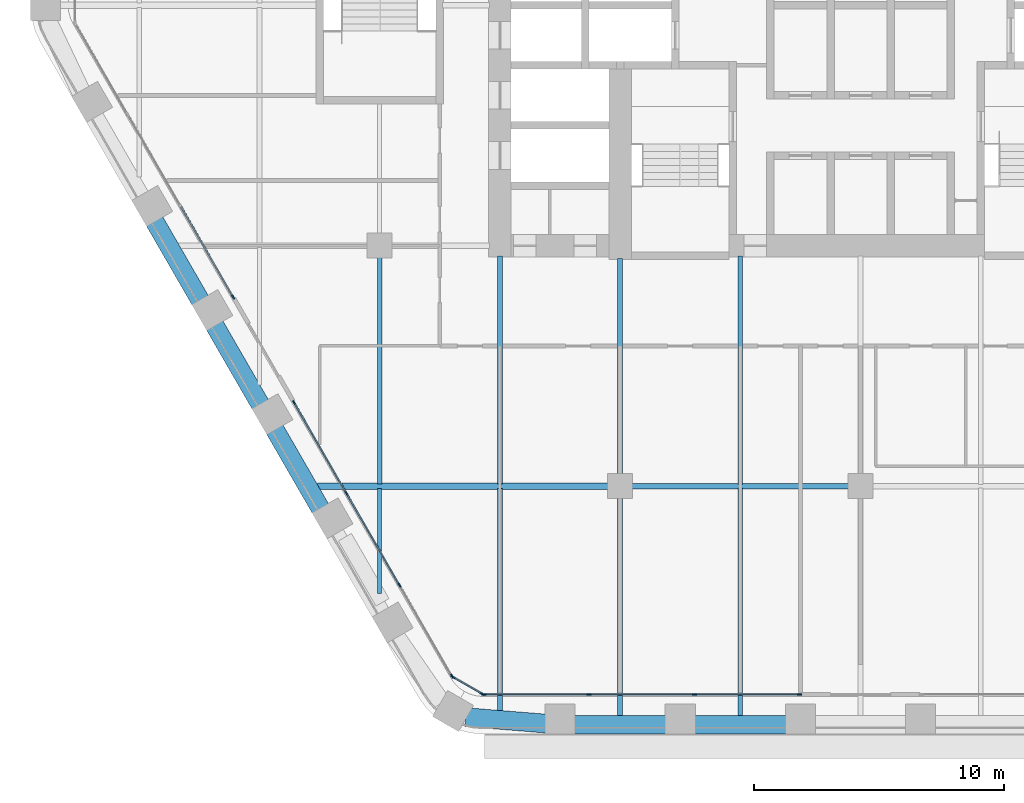
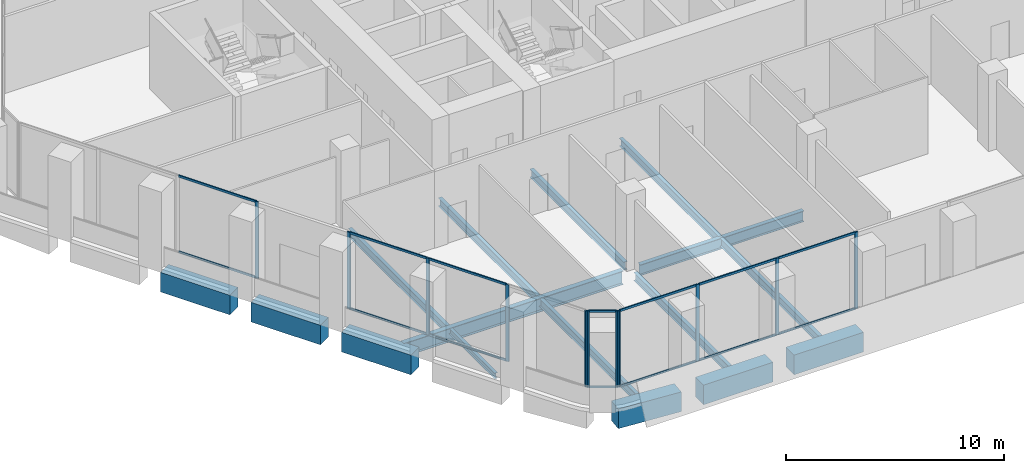
# One storey, part 2 of 23: 25 members, 16 beams, 4 elements without a shape of their own.
"""IFC4 building model written with IfcOpenShell, lengths in metres."""

from ifc_helpers import new_model, si_unit, direction, frame, origin, origin_2d, place, context, subcontext, project, spatial, rectangle, i_section, extrude, material, material_profile, profile_set, type_object, element, aggregate, save


model = new_model("IFC4")

# Units and contexts
model_context = context("Model", 3, precision=1e-05, world=origin(), true_north=direction((0.0, 1.0)))
body_context = subcontext(model_context, "Body", "Model", "MODEL_VIEW")
ifc_project = project(units=[si_unit("LENGTHUNIT", "METRE"), si_unit("AREAUNIT", "SQUARE_METRE"), si_unit("VOLUMEUNIT", "CUBIC_METRE"), si_unit("PLANEANGLEUNIT", "RADIAN"), si_unit("MASSUNIT", "GRAM", prefix="KILO")], contexts=[model_context])

# Site, building, storey
site_placement = place(None, origin())
site = spatial("IfcSite", under=ifc_project, at=site_placement, CompositionType="ELEMENT")
building_placement = place(site_placement, origin())
building = spatial("IfcBuilding", under=site, at=building_placement, Name="Kolab Exchange Tower", CompositionType="ELEMENT")
storey_placement = place(building_placement, frame((0.0, 0.0, 95.89990234375)))
storey = spatial("IfcBuildingStorey", under=building, at=storey_placement, Name="L18", CompositionType="ELEMENT", Elevation=95.89990234375)

# Beams
ifc_material_1 = material(Name="Steel S355", Category="steel")
ifc_material_profile_1 = material_profile(ifc_material_1, i_section(OverallWidth=0.1650390625, OverallDepth=0.31005859375, WebThickness=0.005859375, FlangeThickness=0.009765625, at=origin_2d()), Name="W310X39")
ifc_profile_set_1 = profile_set([ifc_material_profile_1], Name="Steel S355")
beam_type_1 = type_object("IfcBeamType", Name="FLOOR BEAM W310X39", PredefinedType="BEAM", material=ifc_profile_set_1)
beam_1_placement = place(storey_placement, frame((-19.199951171875, -23.4814453125, -0.35498046875), z_axis=(0.0, 1.0, 0.0), x_axis=(-1.0, 0.0, 0.0)))
element("IfcBeam", 1, at=beam_1_placement, inside=storey, type_object=beam_type_1, Name="beam/L18/fr/006", PredefinedType="BEAM", context=body_context, shape_type="SweptSolid", body=[
    extrude(i_section(OverallWidth=0.1650390625, OverallDepth=0.31005859375, WebThickness=0.005859375, FlangeThickness=0.009765625, at=origin_2d()), origin(), (0.0, 0.0, 1.0), 4.18798828125),
])
ifc_material_profile_2 = material_profile(ifc_material_1, i_section(OverallWidth=0.18994140625, OverallDepth=0.45703125, WebThickness=0.009033203125, FlangeThickness=0.014404296875, at=origin_2d()), Name="W460X74")
ifc_profile_set_2 = profile_set([ifc_material_profile_2], Name="Steel S355")
beam_type_2 = type_object("IfcBeamType", Name="FLOOR BEAM W460X74", PredefinedType="BEAM", material=ifc_profile_set_2)
beam_2_placement = place(storey_placement, frame((-19.199951171875, -19.1064453125, -0.428466796875), z_axis=(0.0, 1.0, 0.0), x_axis=(-1.0, 0.0, 0.0)))
element("IfcBeam", 2, at=beam_2_placement, inside=storey, type_object=beam_type_2, Name="beam/L18/fr/007", PredefinedType="BEAM", context=body_context, shape_type="SweptSolid", body=[
    extrude(i_section(OverallWidth=0.18994140625, OverallDepth=0.45703125, WebThickness=0.009033203125, FlangeThickness=0.014404296875, at=origin_2d()), origin(), (0.0, 0.0, 1.0), 9.04638671875),
])
beam_3_placement = place(storey_placement, frame((-14.39990234375, -28.194580078125, -0.428466796875), z_axis=(0.0, 1.0, 0.0), x_axis=(-1.0, 0.0, 0.0)))
element("IfcBeam", 3, at=beam_3_placement, inside=storey, type_object=beam_type_2, Name="beam/L18/fr/012", PredefinedType="BEAM", context=body_context, shape_type="SweptSolid", body=[
    extrude(i_section(OverallWidth=0.18994140625, OverallDepth=0.45703125, WebThickness=0.009033203125, FlangeThickness=0.014404296875, at=origin_2d()), origin(), (0.0, 0.0, 1.0), 8.901123046875),
])
beam_4_placement = place(storey_placement, frame((-14.39990234375, -19.1064453125, -0.428466796875), z_axis=(0.0, 1.0, 0.0), x_axis=(-1.0, 0.0, 0.0)))
element("IfcBeam", 4, at=beam_4_placement, inside=storey, type_object=beam_type_2, Name="beam/L18/fr/013", PredefinedType="BEAM", context=body_context, shape_type="SweptSolid", body=[
    extrude(i_section(OverallWidth=0.18994140625, OverallDepth=0.45703125, WebThickness=0.009033203125, FlangeThickness=0.014404296875, at=origin_2d()), origin(), (0.0, 0.0, 1.0), 9.096435546875),
])
beam_5_placement = place(storey_placement, frame((-9.60009765625, -28.388427734375, -0.428466796875), z_axis=(0.0, 1.0, 0.0), x_axis=(-1.0, 0.0, 0.0)))
element("IfcBeam", 5, at=beam_5_placement, inside=storey, type_object=beam_type_2, Name="beam/L18/fr/016", PredefinedType="BEAM", context=body_context, shape_type="SweptSolid", body=[
    extrude(i_section(OverallWidth=0.18994140625, OverallDepth=0.45703125, WebThickness=0.009033203125, FlangeThickness=0.014404296875, at=origin_2d()), origin(), (0.0, 0.0, 1.0), 8.728515625),
])
beam_6_placement = place(storey_placement, frame((-9.60009765625, -18.739990234375, -0.428466796875), z_axis=(0.0, 1.0, 0.0), x_axis=(-1.0, 0.0, 0.0)))
element("IfcBeam", 6, at=beam_6_placement, inside=storey, type_object=beam_type_2, Name="beam/L18/fr/017", PredefinedType="BEAM", context=body_context, shape_type="SweptSolid", body=[
    extrude(i_section(OverallWidth=0.18994140625, OverallDepth=0.45703125, WebThickness=0.009033203125, FlangeThickness=0.014404296875, at=origin_2d()), origin(), (0.0, 0.0, 1.0), 8.6298828125),
])
beam_7_placement = place(storey_placement, frame((-4.800048828125, -28.388427734375, -0.428466796875), z_axis=(0.0, 1.0, 0.0), x_axis=(-1.0, 0.0, 0.0)))
element("IfcBeam", 7, at=beam_7_placement, inside=storey, type_object=beam_type_2, Name="beam/L18/fr/020", PredefinedType="BEAM", context=body_context, shape_type="SweptSolid", body=[
    extrude(i_section(OverallWidth=0.18994140625, OverallDepth=0.45703125, WebThickness=0.009033203125, FlangeThickness=0.014404296875, at=origin_2d()), origin(), (0.0, 0.0, 1.0), 9.114501953125),
])
beam_8_placement = place(storey_placement, frame((-4.800048828125, -19.1259765625, -0.428466796875), z_axis=(0.0, 1.0, 0.0), x_axis=(-1.0, 0.0, 0.0)))
element("IfcBeam", 8, at=beam_8_placement, inside=storey, type_object=beam_type_2, Name="beam/L18/fr/021", PredefinedType="BEAM", context=body_context, shape_type="SweptSolid", body=[
    extrude(i_section(OverallWidth=0.18994140625, OverallDepth=0.45703125, WebThickness=0.009033203125, FlangeThickness=0.014404296875, at=origin_2d()), origin(), (0.0, 0.0, 1.0), 9.115966796875),
])
ifc_material_profile_3 = material_profile(ifc_material_1, i_section(OverallWidth=0.22802734375, OverallDepth=0.60791015625, WebThickness=0.01123046875, FlangeThickness=0.017333984375, at=origin_2d()), Name="W610X113")
ifc_profile_set_3 = profile_set([ifc_material_profile_3], Name="Steel S355")
beam_type_3 = type_object("IfcBeamType", Name="FLOOR GIRDER W610X113", PredefinedType="BEAM", material=ifc_profile_set_3)
beam_9_placement = place(storey_placement, frame((-9.139892578125, -19.199951171875, -0.50390625), z_axis=(1.0, 0.0, 0.0), x_axis=(0.0, 1.0, 0.0)))
element("IfcBeam", 9, at=beam_9_placement, inside=storey, type_object=beam_type_3, Name="beam/L18/gd/008", PredefinedType="BEAM", context=body_context, shape_type="SweptSolid", body=[
    extrude(i_section(OverallWidth=0.22802734375, OverallDepth=0.60791015625, WebThickness=0.01123046875, FlangeThickness=0.017333984375, at=origin_2d()), origin(), (0.0, 0.0, 1.0), 8.679931640625),
])
ifc_material_profile_4 = material_profile(ifc_material_1, i_section(OverallWidth=0.26708984375, OverallDepth=0.761962890625, WebThickness=0.014404296875, FlangeThickness=0.021484375, at=origin_2d()), Name="W760X173")
ifc_profile_set_4 = profile_set([ifc_material_profile_4], Name="Steel S355")
beam_type_4 = type_object("IfcBeamType", Name="FLOOR GIRDER W760X173", PredefinedType="BEAM", material=ifc_profile_set_4)
beam_10_placement = place(storey_placement, frame((-21.688720703125, -19.199951171875, -0.580810546875), z_axis=(1.0, 0.0, 0.0), x_axis=(0.0, 1.0, 0.0)))
element("IfcBeam", 10, at=beam_10_placement, inside=storey, type_object=beam_type_4, Name="beam/L18/gd/003", PredefinedType="BEAM", context=body_context, shape_type="SweptSolid", body=[
    extrude(i_section(OverallWidth=0.26708984375, OverallDepth=0.761962890625, WebThickness=0.014404296875, FlangeThickness=0.021484375, at=origin_2d()), origin(), (0.0, 0.0, 1.0), 11.628662109375),
])
ifc_material_2 = material(Name="Concrete C70/85", Category="concrete")
ifc_material_profile_5 = material_profile(ifc_material_2, rectangle(XDim=0.75, YDim=1.10009765625, at=origin_2d()), Name="RC750X1100")
ifc_profile_set_5 = profile_set([ifc_material_profile_5], Name="Concrete C70/85")
beam_type_5 = type_object("IfcBeamType", Name="SPANDREL BEAM 750X1100 C70/85", PredefinedType="BEAM", material=ifc_profile_set_5)
for number, where, z_axis, x_axis, name in (
    (11, (-2.9599609375, -28.723388671875, -0.75), (-1.0, 0.0, 0.0), (0.0, -1.0, 0.0), "beam/L18/sp/F4-05"),
    (12, (-7.760009765625, -28.723388671875, -0.75), (-1.0, 0.0, 0.0), (0.0, -1.0, 0.0), "beam/L18/sp/F4-06"),
):
    element("IfcBeam", number, at=place(storey_placement, frame(where, z_axis=z_axis, x_axis=x_axis)), inside=storey, type_object=beam_type_5, Name=name, PredefinedType="BEAM", context=body_context, shape_type="SweptSolid", body=[
        extrude(rectangle(XDim=0.75, YDim=1.10009765625, at=origin_2d()), origin(), (0.0, 0.0, 1.0), 3.679931640625),
    ])
beam_11_placement = place(storey_placement, frame((-12.56005859375, -28.678466796875, -0.75), z_axis=(-0.996791038408, 0.080047646748, 0.0), x_axis=(-0.080047646748, -0.996791038408, 0.0)))
element("IfcBeam", 13, at=beam_11_placement, inside=storey, type_object=beam_type_5, Name="beam/L18/sp/F4-07", PredefinedType="BEAM", context=body_context, shape_type="SweptSolid", body=[
    extrude(rectangle(XDim=0.75, YDim=1.10009765625, at=origin_2d()), origin(), (0.0, 0.0, 1.0), 3.20849609375),
])
beam_12_placement = place(storey_placement, frame((-21.55517578125, -20.112060546875, -0.75), z_axis=(-0.500013413428, 0.866017659399, 0.0), x_axis=(-0.866017659399, -0.500013413428, 0.0)))
element("IfcBeam", 14, at=beam_12_placement, inside=storey, type_object=beam_type_5, Name="beam/L18/sp/F5-03", PredefinedType="BEAM", context=body_context, shape_type="SweptSolid", body=[
    extrude(rectangle(XDim=0.75, YDim=1.10009765625, at=origin_2d()), origin(), (0.0, 0.0, 1.0), 3.68017578125),
])
beam_13_placement = place(storey_placement, frame((-23.955322265625, -15.955322265625, -0.75), z_axis=(-0.499963655964, 0.866046386007, 0.0), x_axis=(-0.866046386007, -0.499963655964, 0.0)))
element("IfcBeam", 15, at=beam_13_placement, inside=storey, type_object=beam_type_5, Name="beam/L18/sp/F5-04", PredefinedType="BEAM", context=body_context, shape_type="SweptSolid", body=[
    extrude(rectangle(XDim=0.75, YDim=1.10009765625, at=origin_2d()), origin(), (0.0, 0.0, 1.0), 3.679931640625),
])
beam_14_placement = place(storey_placement, frame((-26.355224609375, -11.79833984375, -0.75), z_axis=(-0.500013413428, 0.866017659399, 0.0), x_axis=(-0.866017659399, -0.500013413428, 0.0)))
element("IfcBeam", 16, at=beam_14_placement, inside=storey, type_object=beam_type_5, Name="beam/L18/sp/F5-05", PredefinedType="BEAM", context=body_context, shape_type="SweptSolid", body=[
    extrude(rectangle(XDim=0.75, YDim=1.10009765625, at=origin_2d()), origin(), (0.0, 0.0, 1.0), 3.68017578125),
])

# Curtain wall, members
ifc_material_3 = material(Name="Aluminium EN AW-6063 T6", Category="aluminium")
curtain_wall_type = type_object("IfcCurtainWallType", Name="UNITISED LOWER MID ZONE CURTAIN WALL", PredefinedType="NOTDEFINED", material=ifc_material_3)
curtain_wall_1_placement = place(storey_placement, origin())
curtain_wall_1 = element("IfcCurtainWall", 17, at=curtain_wall_1_placement, inside=storey, type_object=curtain_wall_type, Name="cw/L18/F4-2", PredefinedType="NOTDEFINED")
ifc_material_profile_6 = material_profile(ifc_material_3, rectangle(XDim=0.06005859375, YDim=0.179931640625, at=origin_2d()), Name="RECT 60X180")
ifc_profile_set_6 = profile_set([ifc_material_profile_6], Name="Aluminium EN AW-6063 T6")
member_type_1 = type_object("IfcMemberType", Name="UNITISED LOWER MID ZONE MULLION 60 X 180", PredefinedType="MULLION", material=ifc_profile_set_6)
member_1_placement = place(storey_placement, frame((-2.429931640625, -27.5185546875, 0.0), z_axis=(0.0, 0.0, 1.0), x_axis=(0.0, -1.0, 0.0)))
member_1 = element("IfcMember", 18, at=member_1_placement, type_object=member_type_1, Name="CW2 mullion 1", PredefinedType="MULLION", context=body_context, shape_type="SweptSolid", body=[
    extrude(rectangle(XDim=0.06005859375, YDim=0.179931640625, at=origin_2d()), origin(), (0.0, 0.0, 1.0), 4.300048828125),
])
member_2_placement = place(storey_placement, frame((-6.62255859375, -27.5185546875, 0.0), z_axis=(0.0, 0.0, 1.0), x_axis=(0.0, -1.0, 0.0)))
member_2 = element("IfcMember", 19, at=member_2_placement, type_object=member_type_1, Name="CW2 mullion 2", PredefinedType="MULLION", context=body_context, shape_type="SweptSolid", body=[
    extrude(rectangle(XDim=0.06005859375, YDim=0.179931640625, at=origin_2d()), origin(), (0.0, 0.0, 1.0), 4.300048828125),
])
member_3_placement = place(storey_placement, frame((-10.84521484375, -27.5185546875, 0.0), z_axis=(0.0, 0.0, 1.0), x_axis=(0.0, -1.0, 0.0)))
member_3 = element("IfcMember", 20, at=member_3_placement, type_object=member_type_1, Name="CW2 mullion 3", PredefinedType="MULLION", context=body_context, shape_type="SweptSolid", body=[
    extrude(rectangle(XDim=0.06005859375, YDim=0.179931640625, at=origin_2d()), origin(), (0.0, 0.0, 1.0), 4.300048828125),
])
member_4_placement = place(storey_placement, frame((-15.037841796875, -27.5185546875, 0.0), z_axis=(0.0, 0.0, 1.0), x_axis=(0.0, -1.0, 0.0)))
member_4 = element("IfcMember", 21, at=member_4_placement, type_object=member_type_1, Name="CW2 mullion 4", PredefinedType="MULLION", context=body_context, shape_type="SweptSolid", body=[
    extrude(rectangle(XDim=0.06005859375, YDim=0.179931640625, at=origin_2d()), origin(), (0.0, 0.0, 1.0), 4.300048828125),
])

curtain_wall_2_placement = place(storey_placement, origin())
curtain_wall_2 = element("IfcCurtainWall", 22, at=curtain_wall_2_placement, inside=storey, type_object=curtain_wall_type, Name="cw/L18/F5-1", PredefinedType="NOTDEFINED")
member_5_placement = place(storey_placement, frame((-16.312744140625, -26.782470703125, 0.0), z_axis=(0.0, 0.0, 1.0), x_axis=(-0.866025393644, -0.500000017564, 0.0)))
member_5 = element("IfcMember", 23, at=member_5_placement, type_object=member_type_1, Name="CW2 mullion 1", PredefinedType="MULLION", context=body_context, shape_type="SweptSolid", body=[
    extrude(rectangle(XDim=0.06005859375, YDim=0.179931640625, at=origin_2d()), origin(), (0.0, 0.0, 1.0), 4.300048828125),
])
member_6_placement = place(storey_placement, frame((-18.408935546875, -23.151611328125, 0.0), z_axis=(0.0, 0.0, 1.0), x_axis=(-0.866025393644, -0.500000017564, 0.0)))
member_6 = element("IfcMember", 24, at=member_6_placement, type_object=member_type_1, Name="CW2 mullion 2", PredefinedType="MULLION", context=body_context, shape_type="SweptSolid", body=[
    extrude(rectangle(XDim=0.06005859375, YDim=0.179931640625, at=origin_2d()), origin(), (0.0, 0.0, 1.0), 4.300048828125),
])
member_7_placement = place(storey_placement, frame((-20.520263671875, -19.49462890625, 0.0), z_axis=(0.0, 0.0, 1.0), x_axis=(-0.866025393644, -0.500000017564, 0.0)))
member_7 = element("IfcMember", 25, at=member_7_placement, type_object=member_type_1, Name="CW2 mullion 3", PredefinedType="MULLION", context=body_context, shape_type="SweptSolid", body=[
    extrude(rectangle(XDim=0.06005859375, YDim=0.179931640625, at=origin_2d()), origin(), (0.0, 0.0, 1.0), 4.300048828125),
])
member_8_placement = place(storey_placement, frame((-22.61669921875, -15.86376953125, 0.0), z_axis=(0.0, 0.0, 1.0), x_axis=(-0.866025393644, -0.500000017564, 0.0)))
member_8 = element("IfcMember", 26, at=member_8_placement, type_object=member_type_1, Name="CW2 mullion 4", PredefinedType="MULLION", context=body_context, shape_type="SweptSolid", body=[
    extrude(rectangle(XDim=0.06005859375, YDim=0.179931640625, at=origin_2d()), origin(), (0.0, 0.0, 1.0), 4.300048828125),
])

# Curtain wall, member
curtain_wall_3_placement = place(storey_placement, origin())
curtain_wall_3 = element("IfcCurtainWall", 27, at=curtain_wall_3_placement, inside=storey, type_object=curtain_wall_type, Name="cw/L18/F5-2", PredefinedType="NOTDEFINED")
member_9_placement = place(storey_placement, frame((-25.046630859375, -11.65478515625, 0.0), z_axis=(0.0, 0.0, 1.0), x_axis=(-0.866025427826, -0.499999958358, 0.0)))
member_9 = element("IfcMember", 28, at=member_9_placement, type_object=member_type_1, Name="CW2 mullion 1", PredefinedType="MULLION", context=body_context, shape_type="SweptSolid", body=[
    extrude(rectangle(XDim=0.06005859375, YDim=0.179931640625, at=origin_2d()), origin(), (0.0, 0.0, 1.0), 4.300048828125),
])

# Curtain wall, members
curtain_wall_4_placement = place(storey_placement, origin())
curtain_wall_4 = element("IfcCurtainWall", 29, at=curtain_wall_4_placement, inside=storey, type_object=curtain_wall_type, Name="cw/L18/F4F5-corner", PredefinedType="NOTDEFINED")
member_10_placement = place(storey_placement, frame((-15.093994140625, -27.50341796875, 0.0), z_axis=(0.0, 0.0, 1.0), x_axis=(-0.50000002237, -0.866025390869, 0.0)))
member_10 = element("IfcMember", 30, at=member_10_placement, type_object=member_type_1, Name="CW2 mullion 1", PredefinedType="MULLION", context=body_context, shape_type="SweptSolid", body=[
    extrude(rectangle(XDim=0.06005859375, YDim=0.179931640625, at=origin_2d()), origin(), (0.0, 0.0, 1.0), 4.300048828125),
])
member_11_placement = place(storey_placement, frame((-16.271728515625, -26.823486328125, 0.0), z_axis=(0.0, 0.0, 1.0), x_axis=(-0.50000002237, -0.866025390869, 0.0)))
member_11 = element("IfcMember", 31, at=member_11_placement, type_object=member_type_1, Name="CW2 mullion 2", PredefinedType="MULLION", context=body_context, shape_type="SweptSolid", body=[
    extrude(rectangle(XDim=0.06005859375, YDim=0.179931640625, at=origin_2d()), origin(), (0.0, 0.0, 1.0), 4.300048828125),
])

# Member
ifc_material_profile_7 = material_profile(ifc_material_3, rectangle(XDim=0.06005859375, YDim=0.1201171875, at=origin_2d()), Name="RECT 60X120")
ifc_profile_set_7 = profile_set([ifc_material_profile_7], Name="Aluminium EN AW-6063 T6")
member_type_2 = type_object("IfcMemberType", Name="UNITISED LOWER MID ZONE TRANSOM 60 X 120", PredefinedType="USERDEFINED", material=ifc_profile_set_7)
member_12_placement = place(storey_placement, frame((-2.4599609375, -27.5185546875, 0.030029296875), z_axis=(-1.0, 0.0, 0.0), x_axis=(0.0, -1.0, 0.0)))
member_12 = element("IfcMember", 32, at=member_12_placement, type_object=member_type_2, Name="CW2 transom 1.1", ObjectType="TRANSOM", PredefinedType="USERDEFINED", context=body_context, shape_type="SweptSolid", body=[
    extrude(rectangle(XDim=0.06005859375, YDim=0.1201171875, at=origin_2d()), origin(), (0.0, 0.0, 1.0), 4.132568359375),
])

member_13_placement = place(storey_placement, frame((-2.4599609375, -27.5185546875, 4.27001953125), z_axis=(-1.0, 0.0, 0.0), x_axis=(0.0, -1.0, 0.0)))
member_13 = element("IfcMember", 33, at=member_13_placement, type_object=member_type_2, Name="CW2 transom 1.2", ObjectType="TRANSOM", PredefinedType="USERDEFINED", context=body_context, shape_type="SweptSolid", body=[
    extrude(rectangle(XDim=0.06005859375, YDim=0.1201171875, at=origin_2d()), origin(), (0.0, 0.0, 1.0), 4.132568359375),
])

member_14_placement = place(storey_placement, frame((-6.652587890625, -27.5185546875, 0.030029296875), z_axis=(-1.0, 0.0, 0.0), x_axis=(0.0, -1.0, 0.0)))
member_14 = element("IfcMember", 34, at=member_14_placement, type_object=member_type_2, Name="CW2 transom 2.1", ObjectType="TRANSOM", PredefinedType="USERDEFINED", context=body_context, shape_type="SweptSolid", body=[
    extrude(rectangle(XDim=0.06005859375, YDim=0.1201171875, at=origin_2d()), origin(), (0.0, 0.0, 1.0), 4.16259765625),
])

member_15_placement = place(storey_placement, frame((-6.652587890625, -27.5185546875, 4.27001953125), z_axis=(-1.0, 0.0, 0.0), x_axis=(0.0, -1.0, 0.0)))
member_15 = element("IfcMember", 35, at=member_15_placement, type_object=member_type_2, Name="CW2 transom 2.2", ObjectType="TRANSOM", PredefinedType="USERDEFINED", context=body_context, shape_type="SweptSolid", body=[
    extrude(rectangle(XDim=0.06005859375, YDim=0.1201171875, at=origin_2d()), origin(), (0.0, 0.0, 1.0), 4.16259765625),
])

member_16_placement = place(storey_placement, frame((-10.875244140625, -27.5185546875, 0.030029296875), z_axis=(-1.0, 0.0, 0.0), x_axis=(0.0, -1.0, 0.0)))
member_16 = element("IfcMember", 36, at=member_16_placement, type_object=member_type_2, Name="CW2 transom 3.1", ObjectType="TRANSOM", PredefinedType="USERDEFINED", context=body_context, shape_type="SweptSolid", body=[
    extrude(rectangle(XDim=0.06005859375, YDim=0.1201171875, at=origin_2d()), origin(), (0.0, 0.0, 1.0), 4.1328125),
])

member_17_placement = place(storey_placement, frame((-10.875244140625, -27.5185546875, 4.27001953125), z_axis=(-1.0, 0.0, 0.0), x_axis=(0.0, -1.0, 0.0)))
member_17 = element("IfcMember", 37, at=member_17_placement, type_object=member_type_2, Name="CW2 transom 3.2", ObjectType="TRANSOM", PredefinedType="USERDEFINED", context=body_context, shape_type="SweptSolid", body=[
    extrude(rectangle(XDim=0.06005859375, YDim=0.1201171875, at=origin_2d()), origin(), (0.0, 0.0, 1.0), 4.1328125),
])

aggregate(curtain_wall_1, [member_1, member_2, member_3, member_4, member_12, member_13, member_14, member_15, member_16, member_17])

member_18_placement = place(storey_placement, frame((-18.424072265625, -23.12548828125, 0.030029296875), z_axis=(-0.49999322259, 0.866029316688, 0.0), x_axis=(-0.866029316688, -0.49999322259, 0.0)))
member_18 = element("IfcMember", 38, at=member_18_placement, type_object=member_type_2, Name="CW2 transom 2.1", ObjectType="TRANSOM", PredefinedType="USERDEFINED", context=body_context, shape_type="SweptSolid", body=[
    extrude(rectangle(XDim=0.06005859375, YDim=0.1201171875, at=origin_2d()), origin(), (0.0, 0.0, 1.0), 4.16259765625),
])

member_19_placement = place(storey_placement, frame((-18.424072265625, -23.12548828125, 4.27001953125), z_axis=(-0.49999322259, 0.866029316688, 0.0), x_axis=(-0.866029316688, -0.49999322259, 0.0)))
member_19 = element("IfcMember", 39, at=member_19_placement, type_object=member_type_2, Name="CW2 transom 2.2", ObjectType="TRANSOM", PredefinedType="USERDEFINED", context=body_context, shape_type="SweptSolid", body=[
    extrude(rectangle(XDim=0.06005859375, YDim=0.1201171875, at=origin_2d()), origin(), (0.0, 0.0, 1.0), 4.16259765625),
])

member_20_placement = place(storey_placement, frame((-20.535400390625, -19.46875, 0.030029296875), z_axis=(-0.499957688808, 0.866049830784, 0.0), x_axis=(-0.866049830784, -0.499957688808, 0.0)))
member_20 = element("IfcMember", 40, at=member_20_placement, type_object=member_type_2, Name="CW2 transom 3.1", ObjectType="TRANSOM", PredefinedType="USERDEFINED", context=body_context, shape_type="SweptSolid", body=[
    extrude(rectangle(XDim=0.06005859375, YDim=0.1201171875, at=origin_2d()), origin(), (0.0, 0.0, 1.0), 4.132568359375),
])

member_21_placement = place(storey_placement, frame((-20.535400390625, -19.46875, 4.27001953125), z_axis=(-0.499957688808, 0.866049830784, 0.0), x_axis=(-0.866049830784, -0.499957688808, 0.0)))
member_21 = element("IfcMember", 41, at=member_21_placement, type_object=member_type_2, Name="CW2 transom 3.2", ObjectType="TRANSOM", PredefinedType="USERDEFINED", context=body_context, shape_type="SweptSolid", body=[
    extrude(rectangle(XDim=0.06005859375, YDim=0.1201171875, at=origin_2d()), origin(), (0.0, 0.0, 1.0), 4.132568359375),
])

aggregate(curtain_wall_2, [member_5, member_6, member_7, member_8, member_18, member_19, member_20, member_21])

member_22_placement = place(storey_placement, frame((-25.061767578125, -11.62890625, 0.030029296875), z_axis=(-0.499957688808, 0.866049830784, 0.0), x_axis=(-0.866049830784, -0.499957688808, 0.0)))
member_22 = element("IfcMember", 42, at=member_22_placement, type_object=member_type_2, Name="CW2 transom 1.1", ObjectType="TRANSOM", PredefinedType="USERDEFINED", context=body_context, shape_type="SweptSolid", body=[
    extrude(rectangle(XDim=0.06005859375, YDim=0.1201171875, at=origin_2d()), origin(), (0.0, 0.0, 1.0), 4.132568359375),
])

member_23_placement = place(storey_placement, frame((-25.061767578125, -11.62890625, 4.27001953125), z_axis=(-0.499957688808, 0.866049830784, 0.0), x_axis=(-0.866049830784, -0.499957688808, 0.0)))
member_23 = element("IfcMember", 43, at=member_23_placement, type_object=member_type_2, Name="CW2 transom 1.2", ObjectType="TRANSOM", PredefinedType="USERDEFINED", context=body_context, shape_type="SweptSolid", body=[
    extrude(rectangle(XDim=0.06005859375, YDim=0.1201171875, at=origin_2d()), origin(), (0.0, 0.0, 1.0), 4.132568359375),
])

aggregate(curtain_wall_3, [member_9, member_22, member_23])

member_24_placement = place(storey_placement, frame((-15.119873046875, -27.488525390625, 0.030029296875), z_axis=(-0.866004217611, 0.500036693733, 0.0), x_axis=(-0.500036693733, -0.866004217611, 0.0)))
member_24 = element("IfcMember", 44, at=member_24_placement, type_object=member_type_2, Name="CW2 transom 1.1", ObjectType="TRANSOM", PredefinedType="USERDEFINED", context=body_context, shape_type="SweptSolid", body=[
    extrude(rectangle(XDim=0.06005859375, YDim=0.1201171875, at=origin_2d()), origin(), (0.0, 0.0, 1.0), 1.30029296875),
])

member_25_placement = place(storey_placement, frame((-15.119873046875, -27.488525390625, 4.27001953125), z_axis=(-0.866004217611, 0.500036693733, 0.0), x_axis=(-0.500036693733, -0.866004217611, 0.0)))
member_25 = element("IfcMember", 45, at=member_25_placement, type_object=member_type_2, Name="CW2 transom 1.2", ObjectType="TRANSOM", PredefinedType="USERDEFINED", context=body_context, shape_type="SweptSolid", body=[
    extrude(rectangle(XDim=0.06005859375, YDim=0.1201171875, at=origin_2d()), origin(), (0.0, 0.0, 1.0), 1.30029296875),
])

aggregate(curtain_wall_4, [member_10, member_11, member_24, member_25])

save(model, "model.ifc")
